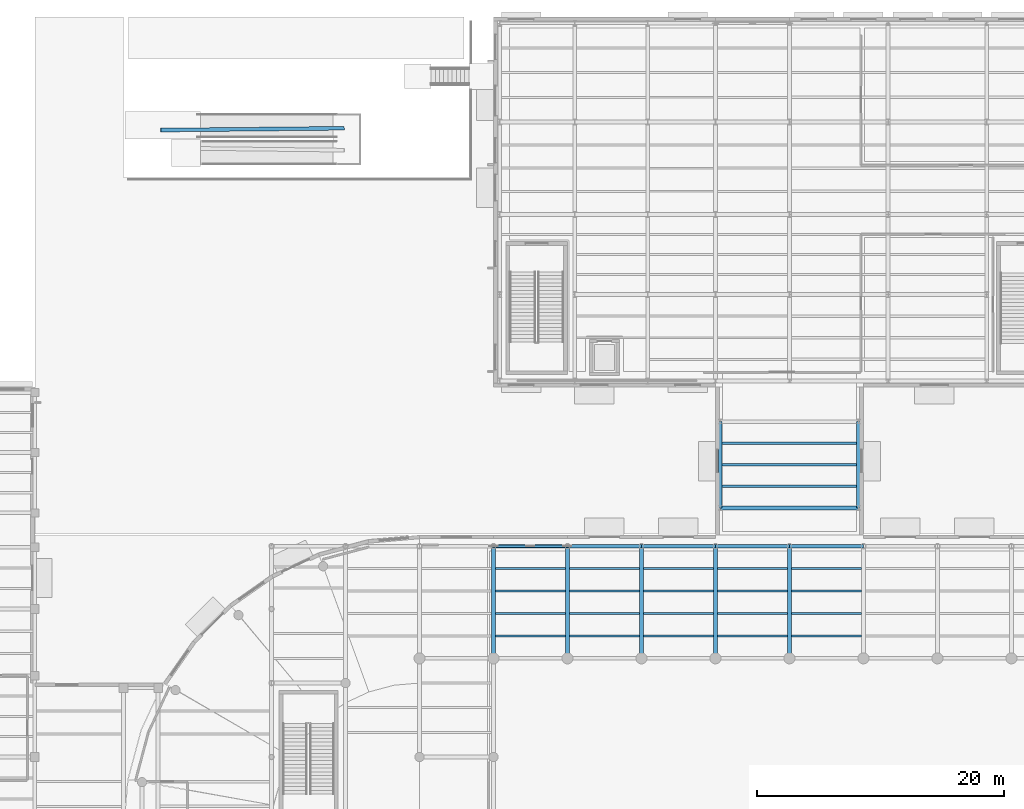
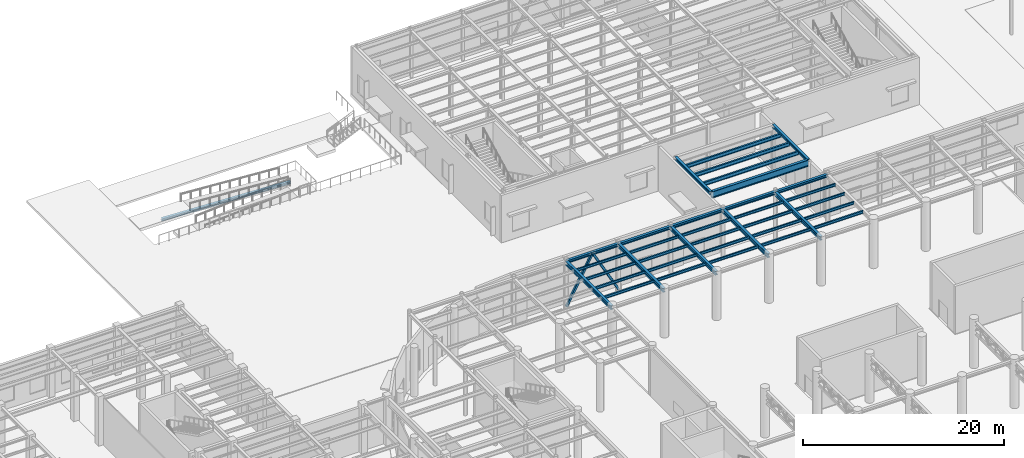
# One storey, part 31 of 118: 37 beams, 2 members.
"""IFC4 building model written with IfcOpenShell, lengths in metres."""

from ifc_helpers import new_model, si_unit, direction, frame, origin, origin_2d, place, context, subcontext, project, spatial, hollow_rectangle, i_section, extrude, material, material_profile, profile_set, type_object, element, save


model = new_model("IFC4")

# Units and contexts
model_context = context("Model", 3, precision=1e-05, world=origin(), true_north=direction((0.0, 1.0)))
body_context = subcontext(model_context, "Body", "Model", "MODEL_VIEW")
ifc_project = project(units=[si_unit("LENGTHUNIT", "METRE"), si_unit("AREAUNIT", "SQUARE_METRE"), si_unit("VOLUMEUNIT", "CUBIC_METRE"), si_unit("PLANEANGLEUNIT", "RADIAN"), si_unit("MASSUNIT", "GRAM", prefix="KILO")], contexts=[model_context])

# Site, building, storey
site_placement = place(None, origin())
site = spatial("IfcSite", under=ifc_project, at=site_placement, CompositionType="ELEMENT")
building_placement = place(site_placement, origin())
building = spatial("IfcBuilding", under=site, at=building_placement, Name="Kolvaren Corner Interchange", CompositionType="ELEMENT")
storey_placement = place(building_placement, origin())
storey = spatial("IfcBuildingStorey", under=building, at=storey_placement, Name="L01", CompositionType="ELEMENT", Elevation=0.0)

# Beams
ifc_material_1 = material(Name="Steel S355", Category="steel")
ifc_material_profile_1 = material_profile(ifc_material_1, i_section(OverallWidth=0.300048828125, OverallDepth=0.2900390625, WebThickness=0.008544921875, FlangeThickness=0.013916015625, FilletRadius=0.027099609375, at=origin_2d()), Name="HEA 300")
ifc_profile_set_1 = profile_set([ifc_material_profile_1], Name="Steel S355")
beam_type_1 = type_object("IfcBeamType", Name="BM-HEA300", PredefinedType="BEAM", material=ifc_profile_set_1)
beam_1_placement = place(storey_placement, frame((53.889892578125, 104.989990234375, -1.070068359375), z_axis=(-0.99868160488, -0.010060879855, 0.05033717087), x_axis=(0.010073650412, -0.999949259496, 0.0)))
element("IfcBeam", 1, at=beam_1_placement, inside=storey, type_object=beam_type_1, Name="West Cycle Hub Accessible Plinth Ramp Upper Sloped Spine Beam", PredefinedType="BEAM", context=body_context, shape_type="SweptSolid", body=[
    extrude(i_section(OverallWidth=0.300048828125, OverallDepth=0.2900390625, WebThickness=0.008544921875, FlangeThickness=0.013916015625, FilletRadius=0.027099609375, at=origin_2d()), origin(), (0.0, 0.0, 1.0), 14.8994140625),
])
ifc_material_2 = material(Name="Steel S355", Category="steel")
ifc_material_profile_2 = material_profile(ifc_material_2, i_section(OverallWidth=0.300048828125, OverallDepth=0.35009765625, WebThickness=0.010009765625, FlangeThickness=0.017578125, FilletRadius=0.027099609375, at=origin_2d()), Name="HEA 360")
ifc_profile_set_2 = profile_set([ifc_material_profile_2], Name="Steel S355")
beam_type_2 = type_object("IfcBeamType", Name="BM-HEA360", PredefinedType="BEAM", material=ifc_profile_set_2)
for number, where, z_axis, x_axis, name in (
    (2, (66.0, 71.10009765625, 5.574951171875), (1.0, 0.0, 0.0), (0.0, 1.0, 0.0), "Storey L01 Grid X Primary Girder 0284"),
    (3, (72.0, 71.10009765625, 5.574951171875), (1.0, 0.0, 0.0), (0.0, 1.0, 0.0), "Storey L01 Grid X Primary Girder 0285"),
    (4, (78.0, 71.10009765625, 5.574951171875), (1.0, 0.0, 0.0), (0.0, 1.0, 0.0), "Storey L01 Grid X Primary Girder 0286"),
    (5, (84.0, 71.10009765625, 5.574951171875), (1.0, 0.0, 0.0), (0.0, 1.0, 0.0), "Storey L01 Grid X Primary Girder 0287"),
    (6, (90.0, 71.10009765625, 5.574951171875), (1.0, 0.0, 0.0), (0.0, 1.0, 0.0), "Storey L01 Grid X Primary Girder 0288"),
):
    element("IfcBeam", number, at=place(storey_placement, frame(where, z_axis=z_axis, x_axis=x_axis)), inside=storey, type_object=beam_type_2, Name=name, PredefinedType="BEAM", context=body_context, shape_type="SweptSolid", body=[
        extrude(i_section(OverallWidth=0.300048828125, OverallDepth=0.35009765625, WebThickness=0.010009765625, FlangeThickness=0.017578125, FilletRadius=0.027099609375, at=origin_2d()), origin(), (0.0, 0.0, 1.0), 6.0),
    ])
ifc_material_3 = material(Name="Steel S355", Category="steel")
ifc_material_profile_3 = material_profile(ifc_material_3, i_section(OverallWidth=0.300048828125, OverallDepth=0.389892578125, WebThickness=0.010986328125, FlangeThickness=0.01904296875, FilletRadius=0.027099609375, at=origin_2d()), Name="HEA 400")
ifc_profile_set_3 = profile_set([ifc_material_profile_3], Name="Steel S355")
beam_type_3 = type_object("IfcBeamType", Name="BM-HEA400", PredefinedType="BEAM", material=ifc_profile_set_3)
for number, where, z_axis, x_axis, name in (
    (7, (84.39990234375, 74.199951171875, 5.5849609375), (0.0, 1.0, 0.0), (-1.0, 0.0, 0.0), "Storey L01 Grid Y Primary Girder 0510"),
    (8, (95.60009765625, 74.199951171875, 5.5849609375), (0.0, 1.0, 0.0), (-1.0, 0.0, 0.0), "Storey L01 Grid Y Primary Girder 0515"),
):
    element("IfcBeam", number, at=place(storey_placement, frame(where, z_axis=z_axis, x_axis=x_axis)), inside=storey, type_object=beam_type_3, Name=name, PredefinedType="BEAM", context=body_context, shape_type="SweptSolid", body=[
        extrude(i_section(OverallWidth=0.300048828125, OverallDepth=0.389892578125, WebThickness=0.010986328125, FlangeThickness=0.01904296875, FilletRadius=0.027099609375, at=origin_2d()), origin(), (0.0, 0.0, 1.0), 7.0),
    ])
ifc_material_4 = material(Name="Steel S355", Category="steel")
ifc_material_profile_4 = material_profile(ifc_material_4, i_section(OverallWidth=0.300048828125, OverallDepth=0.489990234375, WebThickness=0.011962890625, FlangeThickness=0.02294921875, FilletRadius=0.027099609375, at=origin_2d()), Name="HEA 500")
ifc_profile_set_4 = profile_set([ifc_material_profile_4], Name="Steel S355")
beam_type_4 = type_object("IfcBeamType", Name="BM-HEA500", PredefinedType="BEAM", material=ifc_profile_set_4)
for number, where, z_axis, x_axis, name in (
    (9, (66.0, 62.0, 5.5048828125), (0.0, 1.0, 0.0), (-1.0, 0.0, 0.0), "Storey L01 Grid Y Primary Girder 0350"),
    (10, (72.0, 62.0, 5.5048828125), (0.0, 1.0, 0.0), (-1.0, 0.0, 0.0), "Storey L01 Grid Y Primary Girder 0351"),
    (11, (78.0, 62.0, 5.5048828125), (0.0, 1.0, 0.0), (-1.0, 0.0, 0.0), "Storey L01 Grid Y Primary Girder 0352"),
    (12, (84.0, 62.0, 5.5048828125), (0.0, 1.0, 0.0), (-1.0, 0.0, 0.0), "Storey L01 Grid Y Primary Girder 0353"),
    (13, (90.0, 62.0, 5.5048828125), (0.0, 1.0, 0.0), (-1.0, 0.0, 0.0), "Storey L01 Grid Y Primary Girder 0354"),
):
    element("IfcBeam", number, at=place(storey_placement, frame(where, z_axis=z_axis, x_axis=x_axis)), inside=storey, type_object=beam_type_4, Name=name, PredefinedType="BEAM", context=body_context, shape_type="SweptSolid", body=[
        extrude(i_section(OverallWidth=0.300048828125, OverallDepth=0.489990234375, WebThickness=0.011962890625, FlangeThickness=0.02294921875, FilletRadius=0.027099609375, at=origin_2d()), origin(), (0.0, 0.0, 1.0), 9.10009765625),
    ])
ifc_material_5 = material(Name="Steel S355", Category="steel")
ifc_material_profile_5 = material_profile(ifc_material_5, i_section(OverallWidth=0.300048828125, OverallDepth=0.800048828125, WebThickness=0.017578125, FlangeThickness=0.032958984375, FilletRadius=0.030029296875, at=origin_2d()), Name="HEB 800")
ifc_profile_set_5 = profile_set([ifc_material_profile_5], Name="Steel S355")
beam_type_5 = type_object("IfcBeamType", Name="BM-HEB800", PredefinedType="BEAM", material=ifc_profile_set_5)
beam_2_placement = place(storey_placement, frame((84.39990234375, 74.199951171875, 5.3798828125), z_axis=(1.0, 0.0, 0.0), x_axis=(0.0, 1.0, 0.0)))
element("IfcBeam", 14, at=beam_2_placement, inside=storey, type_object=beam_type_5, Name="Storey L01 Grid X Primary Girder 0406", PredefinedType="BEAM", context=body_context, shape_type="SweptSolid", body=[
    extrude(i_section(OverallWidth=0.300048828125, OverallDepth=0.800048828125, WebThickness=0.017578125, FlangeThickness=0.032958984375, FilletRadius=0.030029296875, at=origin_2d()), origin(), (0.0, 0.0, 1.0), 11.2001953125),
])
ifc_material_6 = material(Name="Steel S355", Category="steel")
ifc_material_profile_6 = material_profile(ifc_material_6, i_section(OverallWidth=0.159912109375, OverallDepth=0.330078125, WebThickness=0.007568359375, FlangeThickness=0.011474609375, FilletRadius=0.01806640625, at=origin_2d()), Name="IPE 330")
ifc_profile_set_6 = profile_set([ifc_material_profile_6], Name="Steel S355")
beam_type_6 = type_object("IfcBeamType", Name="JS-IPE330", PredefinedType="JOIST", material=ifc_profile_set_6)
for number, where, z_axis, x_axis, name in (
    (15, (66.14990234375, 63.820068359375, 5.5849609375), (1.0, 0.0, 0.0), (0.0, 1.0, 0.0), "Storey L01 Composite Floor Joist 0329"),
    (16, (66.14990234375, 65.639892578125, 5.5849609375), (1.0, 0.0, 0.0), (0.0, 1.0, 0.0), "Storey L01 Composite Floor Joist 0330"),
    (17, (66.14990234375, 67.4599609375, 5.5849609375), (1.0, 0.0, 0.0), (0.0, 1.0, 0.0), "Storey L01 Composite Floor Joist 0331"),
    (18, (66.14990234375, 69.280029296875, 5.5849609375), (1.0, 0.0, 0.0), (0.0, 1.0, 0.0), "Storey L01 Composite Floor Joist 0332"),
    (19, (72.14990234375, 63.820068359375, 5.5849609375), (1.0, 0.0, 0.0), (0.0, 1.0, 0.0), "Storey L01 Composite Floor Joist 0333"),
    (20, (72.14990234375, 65.639892578125, 5.5849609375), (1.0, 0.0, 0.0), (0.0, 1.0, 0.0), "Storey L01 Composite Floor Joist 0334"),
    (21, (72.14990234375, 67.4599609375, 5.5849609375), (1.0, 0.0, 0.0), (0.0, 1.0, 0.0), "Storey L01 Composite Floor Joist 0335"),
    (22, (72.14990234375, 69.280029296875, 5.5849609375), (1.0, 0.0, 0.0), (0.0, 1.0, 0.0), "Storey L01 Composite Floor Joist 0336"),
    (23, (78.14990234375, 63.820068359375, 5.5849609375), (1.0, 0.0, 0.0), (0.0, 1.0, 0.0), "Storey L01 Composite Floor Joist 0337"),
    (24, (78.14990234375, 65.639892578125, 5.5849609375), (1.0, 0.0, 0.0), (0.0, 1.0, 0.0), "Storey L01 Composite Floor Joist 0338"),
    (25, (78.14990234375, 67.4599609375, 5.5849609375), (1.0, 0.0, 0.0), (0.0, 1.0, 0.0), "Storey L01 Composite Floor Joist 0339"),
    (26, (78.14990234375, 69.280029296875, 5.5849609375), (1.0, 0.0, 0.0), (0.0, 1.0, 0.0), "Storey L01 Composite Floor Joist 0340"),
    (27, (84.14990234375, 63.820068359375, 5.5849609375), (1.0, 0.0, 0.0), (0.0, 1.0, 0.0), "Storey L01 Composite Floor Joist 0341"),
    (28, (84.14990234375, 65.639892578125, 5.5849609375), (1.0, 0.0, 0.0), (0.0, 1.0, 0.0), "Storey L01 Composite Floor Joist 0342"),
    (29, (84.14990234375, 67.4599609375, 5.5849609375), (1.0, 0.0, 0.0), (0.0, 1.0, 0.0), "Storey L01 Composite Floor Joist 0343"),
    (30, (84.14990234375, 69.280029296875, 5.5849609375), (1.0, 0.0, 0.0), (0.0, 1.0, 0.0), "Storey L01 Composite Floor Joist 0344"),
    (31, (90.14990234375, 63.820068359375, 5.5849609375), (1.0, 0.0, 0.0), (0.0, 1.0, 0.0), "Storey L01 Composite Floor Joist 0345"),
    (32, (90.14990234375, 65.639892578125, 5.5849609375), (1.0, 0.0, 0.0), (0.0, 1.0, 0.0), "Storey L01 Composite Floor Joist 0346"),
    (33, (90.14990234375, 67.4599609375, 5.5849609375), (1.0, 0.0, 0.0), (0.0, 1.0, 0.0), "Storey L01 Composite Floor Joist 0347"),
    (34, (90.14990234375, 69.280029296875, 5.5849609375), (1.0, 0.0, 0.0), (0.0, 1.0, 0.0), "Storey L01 Composite Floor Joist 0348"),
):
    element("IfcBeam", number, at=place(storey_placement, frame(where, z_axis=z_axis, x_axis=x_axis)), inside=storey, type_object=beam_type_6, Name=name, PredefinedType="JOIST", context=body_context, shape_type="SweptSolid", body=[
        extrude(i_section(OverallWidth=0.159912109375, OverallDepth=0.330078125, WebThickness=0.007568359375, FlangeThickness=0.011474609375, FilletRadius=0.01806640625, at=origin_2d()), origin(), (0.0, 0.0, 1.0), 5.7001953125),
    ])
ifc_material_7 = material(Name="Steel S355", Category="steel")
ifc_material_profile_7 = material_profile(ifc_material_7, i_section(OverallWidth=0.18994140625, OverallDepth=0.449951171875, WebThickness=0.009521484375, FlangeThickness=0.0146484375, FilletRadius=0.02099609375, at=origin_2d()), Name="IPE 450")
ifc_profile_set_7 = profile_set([ifc_material_profile_7], Name="Steel S355")
beam_type_7 = type_object("IfcBeamType", Name="JS-IPE450", PredefinedType="JOIST", material=ifc_profile_set_7)
for number, where, z_axis, x_axis, name in (
    (35, (84.550048828125, 75.949951171875, 5.554931640625), (1.0, 0.0, 0.0), (0.0, 1.0, 0.0), "Storey L01 Composite Floor Joist 0477"),
    (36, (84.550048828125, 77.699951171875, 5.554931640625), (1.0, 0.0, 0.0), (0.0, 1.0, 0.0), "Storey L01 Composite Floor Joist 0478"),
    (37, (84.550048828125, 79.449951171875, 5.554931640625), (1.0, 0.0, 0.0), (0.0, 1.0, 0.0), "Storey L01 Composite Floor Joist 0479"),
):
    element("IfcBeam", number, at=place(storey_placement, frame(where, z_axis=z_axis, x_axis=x_axis)), inside=storey, type_object=beam_type_7, Name=name, PredefinedType="JOIST", context=body_context, shape_type="SweptSolid", body=[
        extrude(i_section(OverallWidth=0.18994140625, OverallDepth=0.449951171875, WebThickness=0.009521484375, FlangeThickness=0.0146484375, FilletRadius=0.02099609375, at=origin_2d()), origin(), (0.0, 0.0, 1.0), 10.89990234375),
    ])

# Members
ifc_material_8 = material(Name="Steel S355", Category="steel")
ifc_material_profile_8 = material_profile(ifc_material_8, hollow_rectangle(XDim=0.25, YDim=0.25, WallThickness=0.012451171875, InnerFilletRadius=0.012451171875, OuterFilletRadius=0.02490234375, at=origin_2d()), Name="SHS 250x250x12.5")
ifc_profile_set_8 = profile_set([ifc_material_profile_8], Name="Steel S355")
member_type = type_object("IfcMemberType", Name="MEM-BR-SHS250", PredefinedType="BRACE", material=ifc_profile_set_8)
for number, where, z_axis, x_axis, name in (
    (38, (66.0, 71.10009765625, 0.1201171875), (0.48189917876, 0.0, 0.876226672448), (0.0, 1.0, 0.0), "Storey L01 Lateral Chevron Steel Brace 12 Left"),
    (39, (72.0, 71.10009765625, 0.1201171875), (-0.48189917876, 0.0, 0.876226672448), (0.0, -1.0, 0.0), "Storey L01 Lateral Chevron Steel Brace 12 Right"),
):
    element("IfcMember", number, at=place(storey_placement, frame(where, z_axis=z_axis, x_axis=x_axis)), inside=storey, type_object=member_type, Name=name, PredefinedType="BRACE", context=body_context, shape_type="SweptSolid", body=[
        extrude(hollow_rectangle(XDim=0.25, YDim=0.25, WallThickness=0.012451171875, InnerFilletRadius=0.012451171875, OuterFilletRadius=0.02490234375, at=origin_2d()), origin(), (0.0, 0.0, 1.0), 6.225341796875),
    ])

save(model, "model.ifc")
